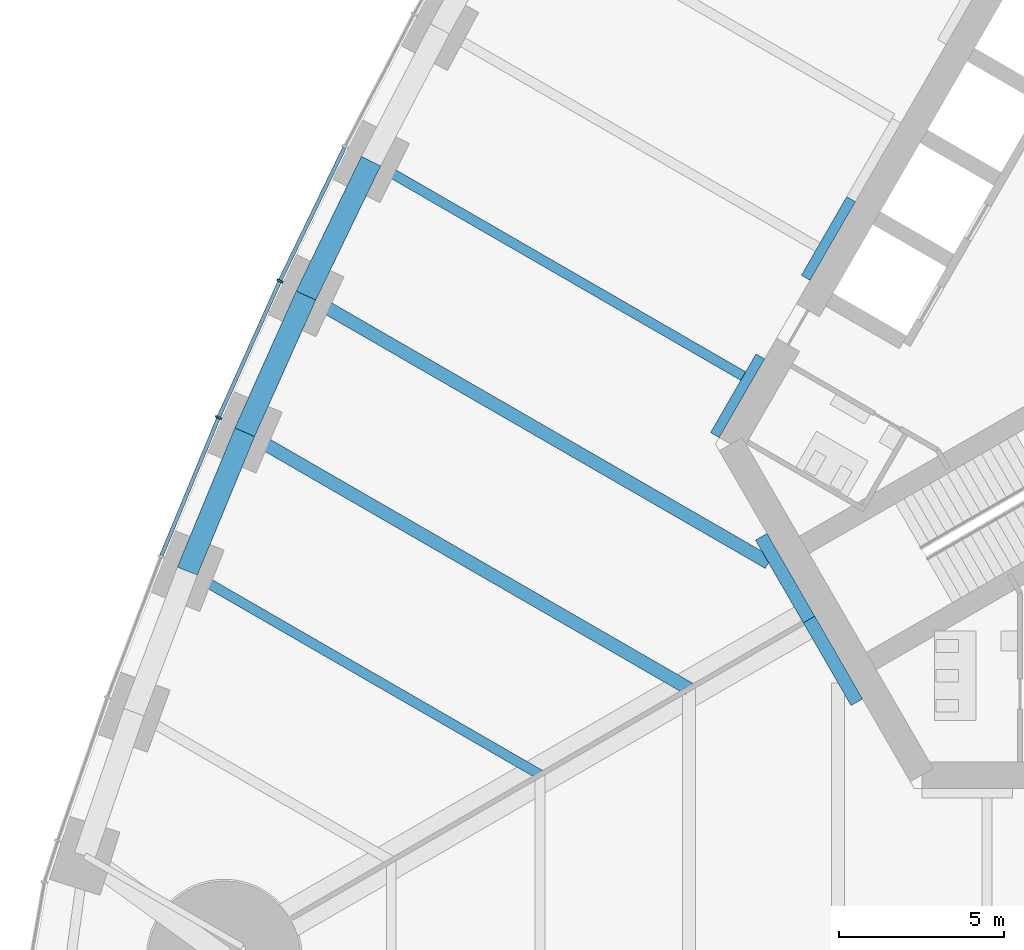
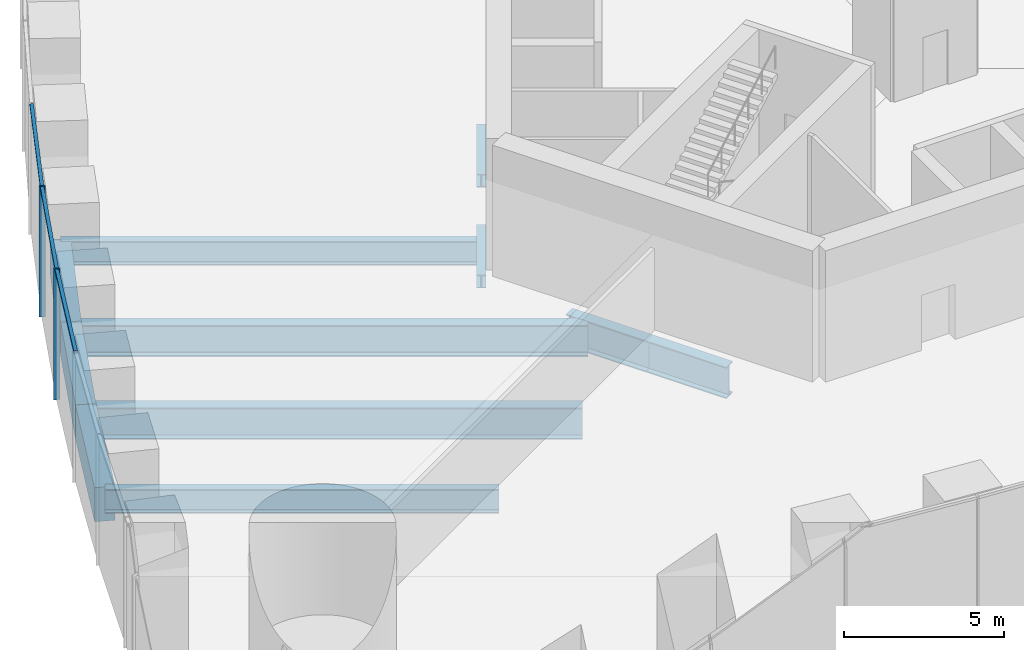
# One storey, part 4 of 21: 11 beams, 5 members, 1 element without a shape of its own.
"""IFC4 building model written with IfcOpenShell, lengths in metres."""

from ifc_helpers import new_model, si_unit, direction, frame, origin, origin_2d, place, context, subcontext, project, spatial, rectangle, i_section, extrude, material, material_profile, profile_set, type_object, element, aggregate, save


model = new_model("IFC4")

# Units and contexts
model_context = context("Model", 3, precision=1e-05, world=origin(), true_north=direction((0.0, 1.0)))
body_context = subcontext(model_context, "Body", "Model", "MODEL_VIEW")
ifc_project = project(units=[si_unit("LENGTHUNIT", "METRE"), si_unit("AREAUNIT", "SQUARE_METRE"), si_unit("VOLUMEUNIT", "CUBIC_METRE"), si_unit("PLANEANGLEUNIT", "RADIAN"), si_unit("MASSUNIT", "GRAM", prefix="KILO")], contexts=[model_context])

# Site, building, storey
site_placement = place(None, origin())
site = spatial("IfcSite", under=ifc_project, at=site_placement, CompositionType="ELEMENT")
building_placement = place(site_placement, origin())
building = spatial("IfcBuilding", under=site, at=building_placement, Name="Trefoil Bronze Tower", CompositionType="ELEMENT")
storey_placement = place(building_placement, frame((0.0, 0.0, 6.5)))
storey = spatial("IfcBuildingStorey", under=building, at=storey_placement, Name="L01", CompositionType="ELEMENT", Elevation=6.5)

# Curtain wall, members
ifc_material_1 = material(Name="Tinted solar-control glass", Category="glass")
curtain_wall_type = type_object("IfcCurtainWallType", Name="Bronze podium storefront curtain wall", PredefinedType="USERDEFINED", material=ifc_material_1)
curtain_wall_placement = place(storey_placement, origin())
curtain_wall = element("IfcCurtainWall", 1, at=curtain_wall_placement, inside=storey, type_object=curtain_wall_type, Name="CW-C L01 F3", ObjectType="CURTAIN WALL", PredefinedType="USERDEFINED")
ifc_material_2 = material(Name="Bronze-finish aluminium", Category="aluminium")
ifc_material_profile_1 = material_profile(ifc_material_2, rectangle(XDim=0.199951171875, YDim=0.06005859375, at=origin_2d()), Name="CW-C mullion")
ifc_profile_set_1 = profile_set([ifc_material_profile_1], Name="Bronze-finish aluminium")
member_type_1 = type_object("IfcMemberType", Name="Bronze podium storefront curtain wall mullion", PredefinedType="MULLION", material=ifc_profile_set_1)
member_1_placement = place(storey_placement, frame((-30.36181640625, 1.930908203125, 0.0), z_axis=(0.0, 0.0, 1.0), x_axis=(0.906269346572, -0.422700687798, 0.0)))
member_1 = element("IfcMember", 2, at=member_1_placement, type_object=member_type_1, Name="CW-C L01 F3 mullion 12", PredefinedType="MULLION", context=body_context, shape_type="SweptSolid", body=[
    extrude(rectangle(XDim=0.199951171875, YDim=0.06005859375, at=origin_2d()), origin(), (0.0, 0.0, 1.0), 4.97998046875),
])
member_2_placement = place(storey_placement, frame((-32.21533203125, -2.198486328125, 0.0), z_axis=(0.0, 0.0, 1.0), x_axis=(0.918213748442, -0.396085233469, 0.0)))
member_2 = element("IfcMember", 3, at=member_2_placement, type_object=member_type_1, Name="CW-C L01 F3 mullion 13", PredefinedType="MULLION", context=body_context, shape_type="SweptSolid", body=[
    extrude(rectangle(XDim=0.199951171875, YDim=0.06005859375, at=origin_2d()), origin(), (0.0, 0.0, 1.0), 4.97998046875),
])
ifc_material_3 = material(Name="Bronze-finish aluminium", Category="aluminium")
ifc_material_profile_2 = material_profile(ifc_material_3, rectangle(XDim=0.1201171875, YDim=0.10009765625, at=origin_2d()), Name="CW-C transom")
ifc_profile_set_2 = profile_set([ifc_material_profile_2], Name="Bronze-finish aluminium")
member_type_2 = type_object("IfcMemberType", Name="Bronze podium storefront curtain wall transom", PredefinedType="USERDEFINED", material=ifc_profile_set_2)
member_3_placement = place(storey_placement, frame((-28.40771484375, 5.966064453125, 4.929931640625), z_axis=(-0.435859049912, -0.900014937992, 0.0), x_axis=(0.900014937992, -0.435859049912, 0.0)))
member_3 = element("IfcMember", 4, at=member_3_placement, type_object=member_type_2, Name="CW-C L01 F3 transom 11", ObjectType="TRANSOM", PredefinedType="USERDEFINED", context=body_context, shape_type="SweptSolid", body=[
    extrude(rectangle(XDim=0.1201171875, YDim=0.10009765625, at=origin_2d()), origin(), (0.0, 0.0, 1.0), 4.451904296875),
])
member_4_placement = place(storey_placement, frame((-30.374755859375, 1.90234375, 4.929931640625), z_axis=(-0.409454767225, -0.91233041909, 0.0), x_axis=(0.91233041909, -0.409454767225, 0.0)))
member_4 = element("IfcMember", 5, at=member_4_placement, type_object=member_type_2, Name="CW-C L01 F3 transom 12", ObjectType="TRANSOM", PredefinedType="USERDEFINED", context=body_context, shape_type="SweptSolid", body=[
    extrude(rectangle(XDim=0.1201171875, YDim=0.10009765625, at=origin_2d()), origin(), (0.0, 0.0, 1.0), 4.463623046875),
])
member_5_placement = place(storey_placement, frame((-32.227294921875, -2.2275390625, 4.929931640625), z_axis=(-0.382594106546, -0.923916527418, 0.0), x_axis=(0.923916527418, -0.382594106546, 0.0)))
member_5 = element("IfcMember", 6, at=member_5_placement, type_object=member_type_2, Name="CW-C L01 F3 transom 13", ObjectType="TRANSOM", PredefinedType="USERDEFINED", context=body_context, shape_type="SweptSolid", body=[
    extrude(rectangle(XDim=0.1201171875, YDim=0.10009765625, at=origin_2d()), origin(), (0.0, 0.0, 1.0), 4.47900390625),
])
aggregate(curtain_wall, [member_1, member_2, member_3, member_4, member_5])

# Beams
ifc_material_4 = material(Name="Steel C355", Category="steel")
ifc_material_profile_3 = material_profile(ifc_material_4, i_section(OverallWidth=0.300048828125, OverallDepth=0.5, WebThickness=0.014404296875, FlangeThickness=0.028076171875, FilletRadius=0.027099609375, at=origin_2d()), Name="HEB 500")
ifc_profile_set_3 = profile_set([ifc_material_profile_3], Name="Steel C355")
beam_type_1 = type_object("IfcBeamType", Name="Core seat beam HEB 500", PredefinedType="BEAM", material=ifc_profile_set_3)
for number, where, z_axis, x_axis, name in (
    (7, (-13.10595703125, 4.39990234375, -0.449951171875), (-0.499969057507, -0.866043267704, 0.0), (0.866043267704, -0.499969057507, 0.0), "Core seat beam F3/+1 L01"),
    (8, (-15.84814453125, -0.35009765625, -0.449951171875), (-0.500035825175, -0.866004719122, 0.0), (0.866004719122, -0.500035825175, 0.0), "Core seat beam F3/+2 L01"),
):
    element("IfcBeam", number, at=place(storey_placement, frame(where, z_axis=z_axis, x_axis=x_axis)), inside=storey, type_object=beam_type_1, Name=name, PredefinedType="BEAM", context=body_context, shape_type="SweptSolid", body=[
        extrude(i_section(OverallWidth=0.300048828125, OverallDepth=0.5, WebThickness=0.014404296875, FlangeThickness=0.028076171875, FilletRadius=0.027099609375, at=origin_2d()), origin(), (0.0, 0.0, 1.0), 2.742431640625),
    ])
ifc_material_5 = material(Name="Steel C355", Category="steel")
ifc_material_profile_4 = material_profile(ifc_material_5, i_section(OverallWidth=0.39990234375, OverallDepth=1.199951171875, WebThickness=0.02001953125, FlangeThickness=0.0400390625, FilletRadius=0.010009765625, at=origin_2d()), Name="WPG 1200")
ifc_profile_set_4 = profile_set([ifc_material_profile_4], Name="Steel C355")
beam_type_2 = type_object("IfcBeamType", Name="Core seat beam WPG 1200", PredefinedType="BEAM", material=ifc_profile_set_4)
for number, where, z_axis, x_axis, name in (
    (9, (-14.3759765625, -8.300048828125, -0.800048828125), (0.499995765644, -0.866027848477, 0.0), (0.866027848477, 0.499995765644, 0.0), "Core seat beam F1/-3 L01"),
    (10, (-15.8193359375, -5.800048828125, -0.800048828125), (0.499995765644, -0.866027848477, 0.0), (0.866027848477, 0.499995765644, 0.0), "Core seat beam F3/+3 L01"),
):
    element("IfcBeam", number, at=place(storey_placement, frame(where, z_axis=z_axis, x_axis=x_axis)), inside=storey, type_object=beam_type_2, Name=name, PredefinedType="BEAM", context=body_context, shape_type="SweptSolid", body=[
        extrude(i_section(OverallWidth=0.39990234375, OverallDepth=1.199951171875, WebThickness=0.02001953125, FlangeThickness=0.0400390625, FilletRadius=0.010009765625, at=origin_2d()), origin(), (0.0, 0.0, 1.0), 2.88671875),
    ])
ifc_material_6 = material(Name="Steel C355", Category="steel")
ifc_material_profile_5 = material_profile(ifc_material_6, i_section(OverallWidth=0.300048828125, OverallDepth=0.89990234375, WebThickness=0.0185546875, FlangeThickness=0.034912109375, FilletRadius=0.030029296875, at=origin_2d()), Name="HEB 900")
ifc_profile_set_5 = profile_set([ifc_material_profile_5], Name="Steel C355")
beam_type_3 = type_object("IfcBeamType", Name="Floor beam HEB 900", PredefinedType="BEAM", material=ifc_profile_set_5)
beam_1_placement = place(storey_placement, frame((-27.61083984375, 5.548828125, -0.64990234375), z_axis=(0.866022474361, -0.500005073876, 0.0), x_axis=(0.500005073876, 0.866022474361, 0.0)))
element("IfcBeam", 11, at=beam_1_placement, inside=storey, type_object=beam_type_3, Name="Floor beam F3/+2 L01", PredefinedType="BEAM", context=body_context, shape_type="SweptSolid", body=[
    extrude(i_section(OverallWidth=0.300048828125, OverallDepth=0.89990234375, WebThickness=0.0185546875, FlangeThickness=0.034912109375, FilletRadius=0.030029296875, at=origin_2d()), origin(), (0.0, 0.0, 1.0), 12.986083984375),
])
beam_2_placement = place(storey_placement, frame((-33.159912109375, -6.8359375, -0.64990234375), z_axis=(0.866024070878, -0.500002308654, 0.0), x_axis=(0.500002308654, 0.866024070878, 0.0)))
element("IfcBeam", 12, at=beam_2_placement, inside=storey, type_object=beam_type_3, Name="Floor beam F3/+5 L01", PredefinedType="BEAM", context=body_context, shape_type="SweptSolid", body=[
    extrude(i_section(OverallWidth=0.300048828125, OverallDepth=0.89990234375, WebThickness=0.0185546875, FlangeThickness=0.034912109375, FilletRadius=0.030029296875, at=origin_2d()), origin(), (0.0, 0.0, 1.0), 12.30908203125),
])
ifc_material_7 = material(Name="Steel C355", Category="steel")
ifc_material_profile_6 = material_profile(ifc_material_7, i_section(OverallWidth=0.39990234375, OverallDepth=1.199951171875, WebThickness=0.02001953125, FlangeThickness=0.0400390625, FilletRadius=0.010009765625, at=origin_2d()), Name="WPG 1200")
ifc_profile_set_6 = profile_set([ifc_material_profile_6], Name="Steel C355")
beam_type_4 = type_object("IfcBeamType", Name="Floor beam WPG 1200", PredefinedType="BEAM", material=ifc_profile_set_6)
beam_3_placement = place(storey_placement, frame((-29.575927734375, 1.487060546875, -0.800048828125), z_axis=(0.866028401131, -0.499994808408, 0.0), x_axis=(0.499994808408, 0.866028401131, 0.0)))
element("IfcBeam", 13, at=beam_3_placement, inside=storey, type_object=beam_type_4, Name="Floor beam F3/+3 L01", PredefinedType="BEAM", context=body_context, shape_type="SweptSolid", body=[
    extrude(i_section(OverallWidth=0.39990234375, OverallDepth=1.199951171875, WebThickness=0.02001953125, FlangeThickness=0.0400390625, FilletRadius=0.010009765625, at=origin_2d()), origin(), (0.0, 0.0, 1.0), 16.139892578125),
])
beam_4_placement = place(storey_placement, frame((-31.42578125, -2.640869140625, -0.800048828125), z_axis=(0.866022989816, -0.500004181093, 0.0), x_axis=(0.500004181093, 0.866022989816, 0.0)))
element("IfcBeam", 14, at=beam_4_placement, inside=storey, type_object=beam_type_4, Name="Floor beam F3/+4 L01", PredefinedType="BEAM", context=body_context, shape_type="SweptSolid", body=[
    extrude(i_section(OverallWidth=0.39990234375, OverallDepth=1.199951171875, WebThickness=0.02001953125, FlangeThickness=0.0400390625, FilletRadius=0.010009765625, at=origin_2d()), origin(), (0.0, 0.0, 1.0), 15.502685546875),
])
ifc_material_8 = material(Name="Concrete B80", Category="concrete")
ifc_material_profile_7 = material_profile(ifc_material_8, rectangle(XDim=0.64990234375, YDim=1.300048828125, at=origin_2d()), Name="RC 650x1300")
ifc_profile_set_7 = profile_set([ifc_material_profile_7], Name="Concrete B80")
beam_type_5 = type_object("IfcBeamType", Name="Spandrel beam RC 650x1300", PredefinedType="SPANDREL", material=ifc_profile_set_7)
beam_5_placement = place(storey_placement, frame((-27.61083984375, 5.548828125, -0.85009765625), z_axis=(-0.435510013583, -0.900183885697, 0.0), x_axis=(0.900183885697, -0.435510013583, 0.0)))
element("IfcBeam", 15, at=beam_5_placement, inside=storey, type_object=beam_type_5, Name="Spandrel F3.11 L01", PredefinedType="SPANDREL", context=body_context, shape_type="SweptSolid", body=[
    extrude(rectangle(XDim=0.64990234375, YDim=1.300048828125, at=origin_2d()), origin(), (0.0, 0.0, 1.0), 4.51220703125),
])
beam_6_placement = place(storey_placement, frame((-29.575927734375, 1.487060546875, -0.85009765625), z_axis=(-0.408945873044, -0.912558640812, 0.0), x_axis=(0.912558640812, -0.408945873044, 0.0)))
element("IfcBeam", 16, at=beam_6_placement, inside=storey, type_object=beam_type_5, Name="Spandrel F3.12 L01", PredefinedType="SPANDREL", context=body_context, shape_type="SweptSolid", body=[
    extrude(rectangle(XDim=0.64990234375, YDim=1.300048828125, at=origin_2d()), origin(), (0.0, 0.0, 1.0), 4.5234375),
])
beam_7_placement = place(storey_placement, frame((-31.42578125, -2.640869140625, -0.85009765625), z_axis=(-0.382020825144, -0.924153715113, 0.0), x_axis=(0.924153715113, -0.382020825144, 0.0)))
element("IfcBeam", 17, at=beam_7_placement, inside=storey, type_object=beam_type_5, Name="Spandrel F3.13 L01", PredefinedType="SPANDREL", context=body_context, shape_type="SweptSolid", body=[
    extrude(rectangle(XDim=0.64990234375, YDim=1.300048828125, at=origin_2d()), origin(), (0.0, 0.0, 1.0), 4.539306640625),
])

save(model, "model.ifc")
